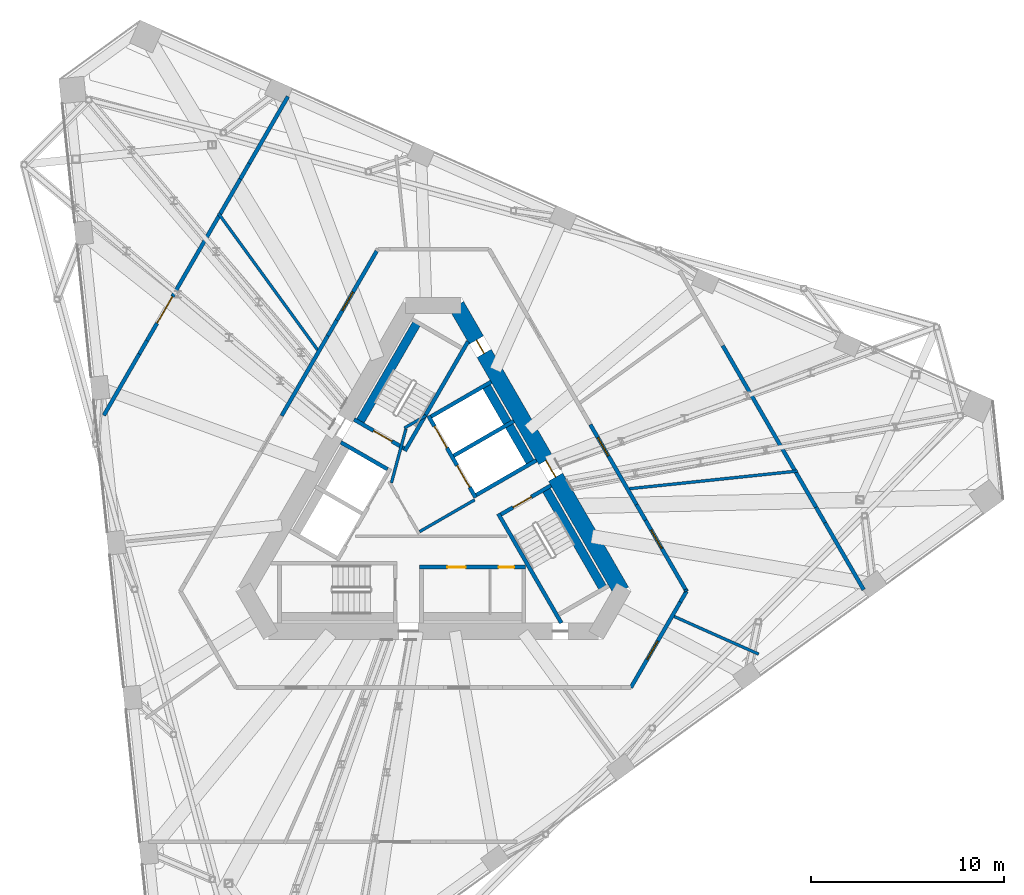
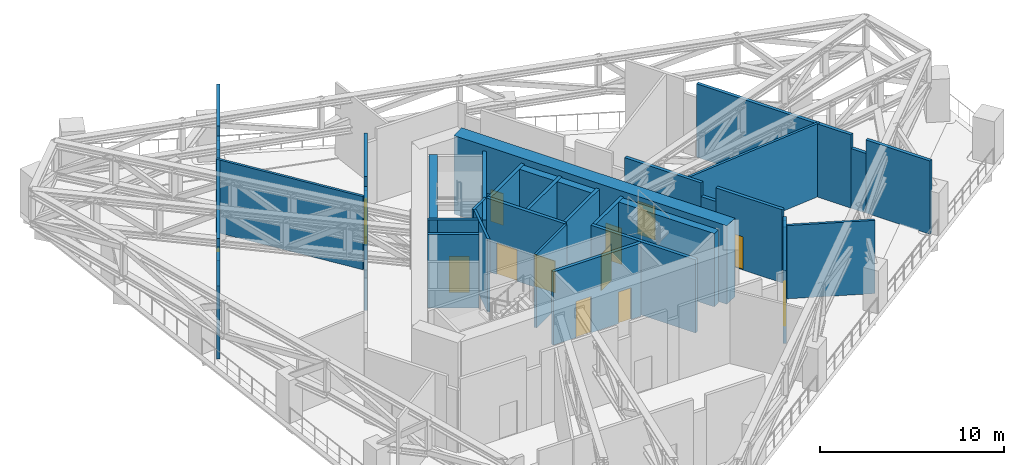
# One storey, part 18 of 26: 37 walls, 13 doors, 13 openings.
"""IFC4 building model written with IfcOpenShell, lengths in metres."""

from ifc_helpers import new_model, si_unit, direction, frame, frame_2d, origin, place, context, subcontext, project, spatial, rectangle, extrude, material, layer, layer_set, type_object, element, fill, save


model = new_model("IFC4")

# Units and contexts
model_context = context("Model", 3, precision=1e-05, world=origin(), true_north=direction((0.0, 1.0)))
body_context = subcontext(model_context, "Body", "Model", "MODEL_VIEW")
ifc_project = project(units=[si_unit("LENGTHUNIT", "METRE"), si_unit("AREAUNIT", "SQUARE_METRE"), si_unit("VOLUMEUNIT", "CUBIC_METRE"), si_unit("PLANEANGLEUNIT", "RADIAN"), si_unit("MASSUNIT", "GRAM", prefix="KILO")], contexts=[model_context])

# Site, building, storey
site_placement = place(None, origin())
site = spatial("IfcSite", under=ifc_project, at=site_placement, CompositionType="ELEMENT")
building_placement = place(site_placement, origin())
building = spatial("IfcBuilding", under=site, at=building_placement, Name="Tramontana Tower", CompositionType="ELEMENT")
storey_placement = place(building_placement, frame((0.0, 0.0, 194.800048828125)))
storey = spatial("IfcBuildingStorey", under=building, at=storey_placement, Name="L45", CompositionType="ELEMENT", Elevation=194.800048828125)

# Wall, openings, doors
ifc_material_1 = material(Name="Concrete 70 MPa", Category="concrete")
ifc_layer_1 = layer(ifc_material_1, 0.85009765625)
ifc_layer_set_1 = layer_set([ifc_layer_1], Name="Core wall 850 70 MPa")
wall_type_1 = type_object("IfcWallType", Name="Core wall 850 70 MPa", PredefinedType="SHEAR", material=ifc_layer_set_1)
wall_1_placement = place(storey_placement, frame((9.757080078125, -4.25, 0.0), z_axis=(0.0, 0.0, 1.0), x_axis=(-0.499995289315, 0.866028123483, 0.0)))
wall_1 = element("IfcWall", 1, at=wall_1_placement, inside=storey, type_object=wall_type_1, Name="Core wall C5 L45", PredefinedType="SHEAR", context=body_context, shape_type="SweptSolid", body=[
    extrude(rectangle(XDim=17.118408203125, YDim=0.85009765625, at=frame_2d((8.55908203125, 0.0))), origin(), (0.0, 0.0, 1.0), 5.199951171875),
])
opening_1_placement = place(wall_1_placement, frame((6.834228515625, 0.0, 0.0)))
opening_1 = element("IfcOpeningElement", 2, at=opening_1_placement, cuts=wall_1, Name="Opening RG3", PredefinedType="OPENING", context=body_context, shape_type="SweptSolid", body=[
    extrude(rectangle(XDim=1.0, YDim=2.39990234375, at=frame_2d((0.5, 1.199951171875))), frame((0.0, 0.43505859375, 0.0), z_axis=(0.0, -1.0, 0.0), x_axis=(1.0, 0.0, 0.0)), (0.0, 0.0, 1.0), 0.8701171875),
])
opening_2_placement = place(wall_1_placement, frame((14.251708984375, 0.0, 0.0)))
opening_2 = element("IfcOpeningElement", 3, at=opening_2_placement, cuts=wall_1, Name="Opening PD3", PredefinedType="OPENING", context=body_context, shape_type="SweptSolid", body=[
    extrude(rectangle(XDim=0.800048828125, YDim=2.10009765625, at=frame_2d((0.39990234375, 1.050048828125))), frame((0.0, 0.43505859375, 0.0), z_axis=(0.0, -1.0, 0.0), x_axis=(1.0, 0.0, 0.0)), (0.0, 0.0, 1.0), 0.8701171875),
])
ifc_material_2 = material(Name="Painted steel", Category="steel")
door_type_1 = type_object("IfcDoorType", Name="CUPBOARD DOOR 800", OperationType="SINGLE_SWING_LEFT", PredefinedType="DOOR", material=ifc_material_2)
door_1_placement = place(opening_2_placement, origin())
door_1 = element("IfcDoor", 4, at=door_1_placement, inside=storey, type_object=door_type_1, Name="Door PD3", OperationType="SINGLE_SWING_RIGHT", OverallHeight=2.10009765625, OverallWidth=0.800048828125, PredefinedType="DOOR", context=body_context, shape_type="SweptSolid", body=[
    extrude(rectangle(XDim=0.800048828125, YDim=2.10009765625, at=frame_2d((0.39990234375, 1.050048828125))), frame((0.0, 0.02490234375, 0.0), z_axis=(0.0, -1.0, 0.0), x_axis=(1.0, 0.0, 0.0)), (0.0, 0.0, 1.0), 0.050048828125),
])
fill(opening_2, door_1)
ifc_material_3 = material(Name="Painted steel", Category="steel")
door_type_2 = type_object("IfcDoorType", Name="RING DOOR 1000", OperationType="SINGLE_SWING_LEFT", PredefinedType="DOOR", material=ifc_material_3)
door_2_placement = place(opening_1_placement, origin())
door_2 = element("IfcDoor", 5, at=door_2_placement, inside=storey, type_object=door_type_2, Name="Door RG3", OperationType="SINGLE_SWING_RIGHT", OverallHeight=2.39990234375, OverallWidth=1.0, PredefinedType="DOOR", context=body_context, shape_type="SweptSolid", body=[
    extrude(rectangle(XDim=1.0, YDim=2.39990234375, at=frame_2d((0.5, 1.199951171875))), frame((0.0, 0.02490234375, 0.0), z_axis=(0.0, -1.0, 0.0), x_axis=(1.0, 0.0, 0.0)), (0.0, 0.0, 1.0), 0.050048828125),
])
fill(opening_1, door_2)

# Walls
ifc_material_4 = material(Name="Blockwork", Category="masonry")
ifc_layer_2 = layer(ifc_material_4, 0.199951171875)
ifc_layer_set_2 = layer_set([ifc_layer_2], Name="ENCLOSURE WALL 200")
wall_type_2 = type_object("IfcWallType", Name="ENCLOSURE WALL 200", PredefinedType="SOLIDWALL", material=ifc_layer_set_2)
wall_2_placement = place(storey_placement, frame((15.01318359375, 8.49658203125, 0.0), z_axis=(0.0, 0.0, 1.0), x_axis=(0.499981435953, -0.866036121476, 0.0)))
element("IfcWall", 6, at=wall_2_placement, inside=storey, type_object=wall_type_2, Name="Wall enc0-2", PredefinedType="SOLIDWALL", context=body_context, shape_type="SweptSolid", body=[
    extrude(rectangle(XDim=9.683349609375, YDim=0.199951171875, at=frame_2d((4.841796875, 0.0))), origin(), (0.0, 0.0, 1.0), 4.849853515625),
])
wall_3_placement = place(storey_placement, frame((19.854736328125, 0.1103515625, 0.0), z_axis=(0.0, 0.0, 1.0), x_axis=(0.500168465368, -0.865928118409, 0.0)))
element("IfcWall", 7, at=wall_3_placement, inside=storey, type_object=wall_type_2, Name="Wall enc0-3", PredefinedType="SOLIDWALL", context=body_context, shape_type="SweptSolid", body=[
    extrude(rectangle(XDim=0.931884765625, YDim=0.199951171875, at=frame_2d((0.4658203125, 0.0))), origin(), (0.0, 0.0, 1.0), 3.949951171875),
])
wall_4_placement = place(storey_placement, frame((20.32080078125, -0.696533203125, 0.0), z_axis=(0.0, 0.0, 1.0), x_axis=(0.499978660597, -0.866037723744, 0.0)))
element("IfcWall", 8, at=wall_4_placement, inside=storey, type_object=wall_type_2, Name="Wall enc0-4", PredefinedType="SOLIDWALL", context=body_context, shape_type="SweptSolid", body=[
    extrude(rectangle(XDim=4.014404296875, YDim=0.199951171875, at=frame_2d((2.00732421875, 0.0))), origin(), (0.0, 0.0, 1.0), 4.849853515625),
])
wall_5_placement = place(storey_placement, frame((-17.103271484375, 4.8759765625, 0.0), z_axis=(0.0, 0.0, 1.0), x_axis=(0.499952348839, 0.866052913447, 0.0)))
element("IfcWall", 9, at=wall_5_placement, inside=storey, type_object=wall_type_2, Name="Wall enc2-0", PredefinedType="SOLIDWALL", context=body_context, shape_type="SweptSolid", body=[
    extrude(rectangle(XDim=3.677001953125, YDim=0.199951171875, at=frame_2d((1.83837890625, 0.0))), origin(), (0.0, 0.0, 1.0), 4.849853515625),
])
wall_6_placement = place(storey_placement, frame((-15.264892578125, 8.060546875, 0.0), z_axis=(0.0, 0.0, 1.0), x_axis=(0.500109828528, 0.865961984968, 0.0)))
element("IfcWall", 10, at=wall_6_placement, inside=storey, type_object=wall_type_2, Name="Wall enc2-1", PredefinedType="SOLIDWALL", context=body_context, shape_type="SweptSolid", body=[
    extrude(rectangle(XDim=0.800048828125, YDim=0.199951171875, at=frame_2d((0.39990234375, 0.0))), origin(), (0.0, 0.0, 1.0), 3.949951171875),
])

# Wall, opening, door
wall_7_placement = place(storey_placement, frame((-14.86474609375, 8.75341796875, 0.0), z_axis=(0.0, 0.0, 1.0), x_axis=(0.50000034515, 0.866025204512, 0.0)))
wall_7 = element("IfcWall", 11, at=wall_7_placement, inside=storey, type_object=wall_type_2, Name="Wall enc2-2", PredefinedType="SOLIDWALL", context=body_context, shape_type="SweptSolid", body=[
    extrude(rectangle(XDim=9.68359375, YDim=0.199951171875, at=frame_2d((4.841796875, 0.0))), origin(), (0.0, 0.0, 1.0), 4.849853515625),
])
opening_3_placement = place(wall_7_placement, frame((1.044677734375, 0.0, 0.0)))
opening_3 = element("IfcOpeningElement", 12, at=opening_3_placement, cuts=wall_7, Name="Opening L45-10", PredefinedType="OPENING", context=body_context, shape_type="SweptSolid", body=[
    extrude(rectangle(XDim=1.60009765625, YDim=2.300048828125, at=frame_2d((0.800048828125, 1.14990234375))), frame((0.0, 0.10986328125, 0.0), z_axis=(0.0, -1.0, 0.0), x_axis=(1.0, 0.0, 0.0)), (0.0, 0.0, 1.0), 0.219970703125),
])
ifc_material_5 = material(Name="Painted timber", Category="wood")
door_type_3 = type_object("IfcDoorType", Name="DOOR WIDE 1600", OperationType="SINGLE_SWING_LEFT", PredefinedType="DOOR", material=ifc_material_5)
door_3_placement = place(opening_3_placement, origin())
door_3 = element("IfcDoor", 13, at=door_3_placement, inside=storey, type_object=door_type_3, Name="Door L45-10", OperationType="DOUBLE_DOOR_SINGLE_SWING", OverallHeight=2.300048828125, OverallWidth=1.60009765625, PredefinedType="DOOR", context=body_context, shape_type="SweptSolid", body=[
    extrude(rectangle(XDim=1.60009765625, YDim=2.300048828125, at=frame_2d((0.800048828125, 1.14990234375))), frame((0.0, 0.02490234375, 0.0), z_axis=(0.0, -1.0, 0.0), x_axis=(1.0, 0.0, 0.0)), (0.0, 0.0, 1.0), 0.050048828125),
])
fill(opening_3, door_3)

# Walls
wall_8_placement = place(storey_placement, frame((-10.02294921875, 17.1396484375, 0.0), z_axis=(0.0, 0.0, 1.0), x_axis=(0.499971966783, 0.866041588165, 0.0)))
element("IfcWall", 14, at=wall_8_placement, inside=storey, type_object=wall_type_2, Name="Wall enc2-3", PredefinedType="SOLIDWALL", context=body_context, shape_type="SweptSolid", body=[
    extrude(rectangle(XDim=0.931640625, YDim=0.199951171875, at=frame_2d((0.4658203125, 0.0))), origin(), (0.0, 0.0, 1.0), 3.949951171875),
])
wall_9_placement = place(storey_placement, frame((-9.55712890625, 17.946533203125, 0.0), z_axis=(0.0, 0.0, 1.0), x_axis=(0.499978660597, 0.866037723744, 0.0)))
element("IfcWall", 15, at=wall_9_placement, inside=storey, type_object=wall_type_2, Name="Wall enc2-4", PredefinedType="SOLIDWALL", context=body_context, shape_type="SweptSolid", body=[
    extrude(rectangle(XDim=4.014404296875, YDim=0.199951171875, at=frame_2d((2.00732421875, 0.0))), origin(), (0.0, 0.0, 1.0), 4.849853515625),
])

# Wall, opening, door
ifc_material_6 = material(Name="Blockwork", Category="masonry")
ifc_layer_3 = layer(ifc_material_6, 0.199951171875)
ifc_layer_set_3 = layer_set([ifc_layer_3], Name="ENTRY WALL 200")
wall_type_3 = type_object("IfcWallType", Name="ENTRY WALL 200", PredefinedType="SOLIDWALL", material=ifc_layer_set_3)
wall_10_placement = place(storey_placement, frame((8.143310546875, 4.3955078125, 0.0), z_axis=(0.0, 0.0, 1.0), x_axis=(0.499997407846, -0.86602690036, 0.0)))
wall_10 = element("IfcWall", 16, at=wall_10_placement, inside=storey, type_object=wall_type_3, Name="Wall ew0-6", PredefinedType="SOLIDWALL", context=body_context, shape_type="SweptSolid", body=[
    extrude(rectangle(XDim=4.791015625, YDim=0.199951171875, at=frame_2d((2.3955078125, 0.0))), origin(), (0.0, 0.0, 1.0), 4.849853515625),
])
opening_4_placement = place(wall_10_placement, frame((0.77490234375, 0.0, 0.0)))
opening_4 = element("IfcOpeningElement", 17, at=opening_4_placement, cuts=wall_10, Name="Opening L45-08", PredefinedType="OPENING", context=body_context, shape_type="SweptSolid", body=[
    extrude(rectangle(XDim=1.10009765625, YDim=2.199951171875, at=frame_2d((0.550048828125, 1.10009765625))), frame((0.0, 0.10986328125, 0.0), z_axis=(0.0, -1.0, 0.0), x_axis=(1.0, 0.0, 0.0)), (0.0, 0.0, 1.0), 0.219970703125),
])
ifc_material_7 = material(Name="Painted steel", Category="steel")
door_type_4 = type_object("IfcDoorType", Name="PLANT DOOR 1100", OperationType="SINGLE_SWING_LEFT", PredefinedType="DOOR", material=ifc_material_7)
door_4_placement = place(opening_4_placement, origin())
door_4 = element("IfcDoor", 18, at=door_4_placement, inside=storey, type_object=door_type_4, Name="Door L45-08", OperationType="SINGLE_SWING_RIGHT", OverallHeight=2.199951171875, OverallWidth=1.10009765625, PredefinedType="DOOR", context=body_context, shape_type="SweptSolid", body=[
    extrude(rectangle(XDim=1.10009765625, YDim=2.199951171875, at=frame_2d((0.550048828125, 1.10009765625))), frame((0.0, 0.02490234375, 0.0), z_axis=(0.0, -1.0, 0.0), x_axis=(1.0, 0.0, 0.0)), (0.0, 0.0, 1.0), 0.050048828125),
])
fill(opening_4, door_4)

# Wall
wall_11_placement = place(storey_placement, frame((10.538818359375, 0.246337890625, 0.0), z_axis=(0.0, 0.0, 1.0), x_axis=(0.499971966783, -0.866041588165, 0.0)))
element("IfcWall", 19, at=wall_11_placement, inside=storey, type_object=wall_type_3, Name="Wall ew0-7", PredefinedType="SOLIDWALL", context=body_context, shape_type="SweptSolid", body=[
    extrude(rectangle(XDim=0.931640625, YDim=0.199951171875, at=frame_2d((0.4658203125, 0.0))), origin(), (0.0, 0.0, 1.0), 3.949951171875),
])

# Wall, opening, door
wall_12_placement = place(storey_placement, frame((11.004638671875, -0.560546875, 0.0), z_axis=(0.0, 0.0, 1.0), x_axis=(0.499993700073, -0.866029041019, 0.0)))
wall_12 = element("IfcWall", 20, at=wall_12_placement, inside=storey, type_object=wall_type_3, Name="Wall ew0-8", PredefinedType="SOLIDWALL", context=body_context, shape_type="SweptSolid", body=[
    extrude(rectangle(XDim=4.1552734375, YDim=0.199951171875, at=frame_2d((2.07763671875, 0.0))), origin(), (0.0, 0.0, 1.0), 4.849853515625),
])
opening_5_placement = place(wall_12_placement, frame((0.5869140625, 0.0, 0.0)))
opening_5 = element("IfcOpeningElement", 21, at=opening_5_placement, cuts=wall_12, Name="Opening L45-07", PredefinedType="OPENING", context=body_context, shape_type="SweptSolid", body=[
    extrude(rectangle(XDim=1.10009765625, YDim=2.199951171875, at=frame_2d((0.550048828125, 1.10009765625))), frame((0.0, 0.10986328125, 0.0), z_axis=(0.0, -1.0, 0.0), x_axis=(1.0, 0.0, 0.0)), (0.0, 0.0, 1.0), 0.219970703125),
])
door_5_placement = place(opening_5_placement, origin())
door_5 = element("IfcDoor", 22, at=door_5_placement, inside=storey, type_object=door_type_4, Name="Door L45-07", OperationType="SINGLE_SWING_LEFT", OverallHeight=2.199951171875, OverallWidth=1.10009765625, PredefinedType="DOOR", context=body_context, shape_type="SweptSolid", body=[
    extrude(rectangle(XDim=1.10009765625, YDim=2.199951171875, at=frame_2d((0.550048828125, 1.10009765625))), frame((0.0, 0.02490234375, 0.0), z_axis=(0.0, -1.0, 0.0), x_axis=(1.0, 0.0, 0.0)), (0.0, 0.0, 1.0), 0.050048828125),
])
fill(opening_5, door_5)

# Walls
wall_13_placement = place(storey_placement, frame((13.082275390625, -4.1591796875, 0.0), z_axis=(0.0, 0.0, 1.0), x_axis=(0.500393920955, -0.865797853931, 0.0)))
element("IfcWall", 23, at=wall_13_placement, inside=storey, type_object=wall_type_3, Name="Wall ew0-9", PredefinedType="SOLIDWALL", context=body_context, shape_type="SweptSolid", body=[
    extrude(rectangle(XDim=0.10498046875, YDim=0.199951171875, at=frame_2d((0.052490234375, 0.0))), origin(), (0.0, 0.0, 1.0), 4.14990234375),
])
wall_14_placement = place(storey_placement, frame((13.134765625, -4.25, 0.0), z_axis=(0.0, 0.0, 1.0), x_axis=(-0.500018234033, -0.866014876105, 0.0)))
element("IfcWall", 24, at=wall_14_placement, inside=storey, type_object=wall_type_3, Name="Wall ew1-0", PredefinedType="SOLIDWALL", context=body_context, shape_type="SweptSolid", body=[
    extrude(rectangle(XDim=0.64306640625, YDim=0.199951171875, at=frame_2d((0.321533203125, 0.0))), origin(), (0.0, 0.0, 1.0), 4.14990234375),
])

# Wall, opening, door
wall_15_placement = place(storey_placement, frame((12.813232421875, -4.806884765625, 0.0), z_axis=(0.0, 0.0, 1.0), x_axis=(-0.499992949462, -0.866029474376, 0.0)))
wall_15 = element("IfcWall", 25, at=wall_15_placement, inside=storey, type_object=wall_type_3, Name="Wall ew1-1", PredefinedType="SOLIDWALL", context=body_context, shape_type="SweptSolid", body=[
    extrude(rectangle(XDim=5.13037109375, YDim=0.199951171875, at=frame_2d((2.565185546875, 0.0))), origin(), (0.0, 0.0, 1.0), 4.849853515625),
])
opening_6_placement = place(wall_15_placement, frame((2.341796875, 0.0, 0.0)))
opening_6 = element("IfcOpeningElement", 26, at=opening_6_placement, cuts=wall_15, Name="Opening L45-06", PredefinedType="OPENING", context=body_context, shape_type="SweptSolid", body=[
    extrude(rectangle(XDim=1.10009765625, YDim=2.199951171875, at=frame_2d((0.550048828125, 1.10009765625))), frame((0.0, 0.10986328125, 0.0), z_axis=(0.0, -1.0, 0.0), x_axis=(1.0, 0.0, 0.0)), (0.0, 0.0, 1.0), 0.219970703125),
])
door_6_placement = place(opening_6_placement, origin())
door_6 = element("IfcDoor", 27, at=door_6_placement, inside=storey, type_object=door_type_4, Name="Door L45-06", OperationType="SINGLE_SWING_RIGHT", OverallHeight=2.199951171875, OverallWidth=1.10009765625, PredefinedType="DOOR", context=body_context, shape_type="SweptSolid", body=[
    extrude(rectangle(XDim=1.10009765625, YDim=2.199951171875, at=frame_2d((0.550048828125, 1.10009765625))), frame((0.0, 0.02490234375, 0.0), z_axis=(0.0, -1.0, 0.0), x_axis=(1.0, 0.0, 0.0)), (0.0, 0.0, 1.0), 0.050048828125),
])
fill(opening_6, door_6)

# Walls
wall_16_placement = place(storey_placement, frame((-7.878173828125, 4.8544921875, 0.0), z_axis=(0.0, 0.0, 1.0), x_axis=(0.499997407846, 0.86602690036, 0.0)))
element("IfcWall", 28, at=wall_16_placement, inside=storey, type_object=wall_type_3, Name="Wall ew4-6", PredefinedType="SOLIDWALL", context=body_context, shape_type="SweptSolid", body=[
    extrude(rectangle(XDim=4.791015625, YDim=0.199951171875, at=frame_2d((2.3955078125, 0.0))), origin(), (0.0, 0.0, 1.0), 4.849853515625),
])
wall_17_placement = place(storey_placement, frame((-5.482666015625, 9.003662109375, 0.0), z_axis=(0.0, 0.0, 1.0), x_axis=(0.499971966783, 0.866041588165, 0.0)))
element("IfcWall", 29, at=wall_17_placement, inside=storey, type_object=wall_type_3, Name="Wall ew4-7", PredefinedType="SOLIDWALL", context=body_context, shape_type="SweptSolid", body=[
    extrude(rectangle(XDim=0.931640625, YDim=0.199951171875, at=frame_2d((0.4658203125, 0.0))), origin(), (0.0, 0.0, 1.0), 3.949951171875),
])

# Wall, opening, door
wall_18_placement = place(storey_placement, frame((-5.016845703125, 9.810546875, 0.0), z_axis=(0.0, 0.0, 1.0), x_axis=(0.499993700073, 0.866029041019, 0.0)))
wall_18 = element("IfcWall", 30, at=wall_18_placement, inside=storey, type_object=wall_type_3, Name="Wall ew4-8", PredefinedType="SOLIDWALL", context=body_context, shape_type="SweptSolid", body=[
    extrude(rectangle(XDim=4.1552734375, YDim=0.199951171875, at=frame_2d((2.07763671875, 0.0))), origin(), (0.0, 0.0, 1.0), 4.849853515625),
])
opening_7_placement = place(wall_18_placement, frame((0.5869140625, 0.0, 0.0)))
opening_7 = element("IfcOpeningElement", 31, at=opening_7_placement, cuts=wall_18, Name="Opening L45-01", PredefinedType="OPENING", context=body_context, shape_type="SweptSolid", body=[
    extrude(rectangle(XDim=1.10009765625, YDim=2.199951171875, at=frame_2d((0.550048828125, 1.10009765625))), frame((0.0, 0.10986328125, 0.0), z_axis=(0.0, -1.0, 0.0), x_axis=(1.0, 0.0, 0.0)), (0.0, 0.0, 1.0), 0.219970703125),
])
door_7_placement = place(opening_7_placement, origin())
door_7 = element("IfcDoor", 32, at=door_7_placement, inside=storey, type_object=door_type_4, Name="Door L45-01", OperationType="SINGLE_SWING_LEFT", OverallHeight=2.199951171875, OverallWidth=1.10009765625, PredefinedType="DOOR", context=body_context, shape_type="SweptSolid", body=[
    extrude(rectangle(XDim=1.10009765625, YDim=2.199951171875, at=frame_2d((0.550048828125, 1.10009765625))), frame((0.0, 0.02490234375, 0.0), z_axis=(0.0, -1.0, 0.0), x_axis=(1.0, 0.0, 0.0)), (0.0, 0.0, 1.0), 0.050048828125),
])
fill(opening_7, door_7)

# Walls
ifc_material_8 = material(Name="Gypsum board partition")
ifc_layer_4 = layer(ifc_material_8, 0.14990234375)
ifc_layer_set_4 = layer_set([ifc_layer_4], Name="PARTITION 150")
wall_type_4 = type_object("IfcWallType", Name="PARTITION 150", PredefinedType="PARTITIONING", material=ifc_layer_set_4)
wall_19_placement = place(storey_placement, frame((-0.716796875, -1.15869140625, 0.0), z_axis=(0.0, 0.0, 1.0), x_axis=(0.866008176907, 0.50002983664, 0.0)))
element("IfcWall", 33, at=wall_19_placement, inside=storey, type_object=wall_type_4, Name="Wall ff-end0", PredefinedType="PARTITIONING", context=body_context, shape_type="SweptSolid", body=[
    extrude(rectangle(XDim=3.300048828125, YDim=0.14990234375, at=frame_2d((1.64990234375, 0.0))), origin(), (0.0, 0.0, 1.0), 4.849853515625),
])
wall_20_placement = place(storey_placement, frame((-2.177978515625, 1.372314453125, 0.0), z_axis=(0.0, 0.0, 1.0), x_axis=(0.258808958833, 0.96592852884, 0.0)))
element("IfcWall", 34, at=wall_20_placement, inside=storey, type_object=wall_type_4, Name="Wall ff-diag", PredefinedType="PARTITIONING", context=body_context, shape_type="SweptSolid", body=[
    extrude(rectangle(XDim=2.902587890625, YDim=0.14990234375, at=frame_2d((1.451171875, 0.0))), origin(), (0.0, 0.0, 1.0), 4.849853515625),
])
wall_21_placement = place(storey_placement, frame((-1.509765625, 4.21484375, 0.0), z_axis=(0.0, 0.0, 1.0), x_axis=(0.866085525409, 0.49989585183, 0.0)))
element("IfcWall", 35, at=wall_21_placement, inside=storey, type_object=wall_type_4, Name="Wall ff-end1", PredefinedType="PARTITIONING", context=body_context, shape_type="SweptSolid", body=[
    extrude(rectangle(XDim=1.300048828125, YDim=0.14990234375, at=frame_2d((0.64990234375, 0.0))), origin(), (0.0, 0.0, 1.0), 4.849853515625),
])
wall_22_placement = place(storey_placement, frame((-6.015869140625, 8.2802734375, 0.0), z_axis=(0.0, 0.0, 1.0), x_axis=(-0.587788699653, 0.809014489709, 0.0)))
element("IfcWall", 36, at=wall_22_placement, inside=storey, type_object=wall_type_4, Name="Wall fw-pw02", PredefinedType="PARTITIONING", context=body_context, shape_type="SweptSolid", body=[
    extrude(rectangle(XDim=8.7568359375, YDim=0.14990234375, at=frame_2d((4.37841796875, 0.0))), origin(), (0.0, 0.0, 1.0), 4.849853515625),
])
wall_23_placement = place(storey_placement, frame((10.1787109375, 1.06982421875, 0.0), z_axis=(0.0, 0.0, 1.0), x_axis=(0.994523006427, 0.104517891713, 0.0)))
element("IfcWall", 37, at=wall_23_placement, inside=storey, type_object=wall_type_4, Name="Wall fw-pw07", PredefinedType="PARTITIONING", context=body_context, shape_type="SweptSolid", body=[
    extrude(rectangle(XDim=8.757080078125, YDim=0.14990234375, at=frame_2d((4.37841796875, 0.0))), origin(), (0.0, 0.0, 1.0), 4.849853515625),
])
wall_24_placement = place(storey_placement, frame((12.49267578125, -5.56201171875, 0.0), z_axis=(0.0, 0.0, 1.0), x_axis=(0.913530294257, -0.40677069889, 0.0)))
element("IfcWall", 38, at=wall_24_placement, inside=storey, type_object=wall_type_4, Name="Wall fw-pw08", PredefinedType="PARTITIONING", context=body_context, shape_type="SweptSolid", body=[
    extrude(rectangle(XDim=4.80029296875, YDim=0.14990234375, at=frame_2d((2.400146484375, 0.0))), origin(), (0.0, 0.0, 1.0), 4.849853515625),
])
ifc_material_9 = material(Name="Concrete 70 MPa", Category="concrete")
ifc_layer_5 = layer(ifc_material_9, 0.449951171875)
ifc_layer_set_5 = layer_set([ifc_layer_5], Name="Concrete 70 MPa, 450 mm")
wall_type_5 = type_object("IfcWallType", Name="RC SHAFT BACK WALL 450", PredefinedType="SOLIDWALL", material=ifc_layer_set_5)
for number, where, z_axis, x_axis, name in (
    (39, (-0.7880859375, 9.784912109375, 0.0), (0.0, 0.0, 1.0), (-0.500009909098, -0.866019682689, 0.0), "Wall st1-back"),
    (40, (8.8681640625, -4.2099609375, 0.0), (0.0, 0.0, 1.0), (-0.500009909098, 0.866019682689, 0.0), "Wall st3-back"),
):
    element("IfcWall", number, at=place(storey_placement, frame(where, z_axis=z_axis, x_axis=x_axis)), inside=storey, type_object=wall_type_5, Name=name, PredefinedType="SOLIDWALL", context=body_context, shape_type="SweptSolid", body=[
        extrude(rectangle(XDim=6.199951171875, YDim=0.449951171875, at=frame_2d((3.10009765625, 0.0))), origin(), (0.0, 0.0, 1.0), 4.849853515625),
    ])
wall_25_placement = place(storey_placement, frame((5.113037109375, 2.2939453125, 0.0), z_axis=(0.0, 0.0, 1.0), x_axis=(-0.500002801628, 0.866023786258, 0.0)))
element("IfcWall", 41, at=wall_25_placement, inside=storey, type_object=wall_type_5, Name="Wall row2-back", PredefinedType="SOLIDWALL", context=body_context, shape_type="SweptSolid", body=[
    extrude(rectangle(XDim=4.89990234375, YDim=0.449951171875, at=frame_2d((2.449951171875, 0.0))), origin(), (0.0, 0.0, 1.0), 4.849853515625),
])
ifc_material_10 = material(Name="Concrete 70 MPa", Category="concrete")
ifc_layer_6 = layer(ifc_material_10, 0.199951171875)
ifc_layer_set_6 = layer_set([ifc_layer_6], Name="Concrete 70 MPa, 200 mm")
wall_type_6 = type_object("IfcWallType", Name="RC STAIR AND SHAFT WALL 200", PredefinedType="SOLIDWALL", material=ifc_layer_set_6)
wall_26_placement = place(storey_placement, frame((1.789794921875, 8.699951171875, 0.0), z_axis=(0.0, 0.0, 1.0), x_axis=(-0.499999959354, -0.866025427251, 0.0)))
element("IfcWall", 42, at=wall_26_placement, inside=storey, type_object=wall_type_6, Name="Wall st1-front", PredefinedType="SOLIDWALL", context=body_context, shape_type="SweptSolid", body=[
    extrude(rectangle(XDim=6.54931640625, YDim=0.199951171875, at=frame_2d((3.274658203125, 0.0))), origin(), (0.0, 0.0, 1.0), 4.849853515625),
])

# Wall, opening, door
wall_27_placement = place(storey_placement, frame((-1.521484375, 3.164794921875, 0.0), z_axis=(0.0, 0.0, 1.0), x_axis=(-0.866031096941, 0.499990139034, 0.0)))
wall_27 = element("IfcWall", 43, at=wall_27_placement, inside=storey, type_object=wall_type_6, Name="Wall st1-near", PredefinedType="SOLIDWALL", context=body_context, shape_type="SweptSolid", body=[
    extrude(rectangle(XDim=3.0, YDim=0.199951171875, at=frame_2d((1.5, 0.0))), origin(), (0.0, 0.0, 1.0), 4.849853515625),
])
opening_8_placement = place(wall_27_placement, frame((0.72509765625, 0.0, 0.0)))
opening_8 = element("IfcOpeningElement", 44, at=opening_8_placement, cuts=wall_27, Name="Opening SD1", PredefinedType="OPENING", context=body_context, shape_type="SweptSolid", body=[
    extrude(rectangle(XDim=1.10009765625, YDim=2.39990234375, at=frame_2d((0.550048828125, 1.199951171875))), frame((0.0, 0.10986328125, 0.0), z_axis=(0.0, -1.0, 0.0), x_axis=(1.0, 0.0, 0.0)), (0.0, 0.0, 1.0), 0.219970703125),
])
ifc_material_11 = material(Name="Painted steel", Category="steel")
door_type_5 = type_object("IfcDoorType", Name="STAIR DOOR 1100", OperationType="SINGLE_SWING_LEFT", PredefinedType="DOOR", material=ifc_material_11)
door_8_placement = place(opening_8_placement, origin())
door_8 = element("IfcDoor", 45, at=door_8_placement, inside=storey, type_object=door_type_5, Name="Door SD1", OperationType="SINGLE_SWING_RIGHT", OverallHeight=2.39990234375, OverallWidth=1.10009765625, PredefinedType="DOOR", context=body_context, shape_type="SweptSolid", body=[
    extrude(rectangle(XDim=1.10009765625, YDim=2.39990234375, at=frame_2d((0.550048828125, 1.199951171875))), frame((0.0, 0.02490234375, 0.0), z_axis=(0.0, -1.0, 0.0), x_axis=(1.0, 0.0, 0.0)), (0.0, 0.0, 1.0), 0.050048828125),
])
fill(opening_8, door_8)

# Wall
wall_28_placement = place(storey_placement, frame((6.6396484375, -5.89990234375, 0.0), z_axis=(0.0, 0.0, 1.0), x_axis=(-0.499999959354, 0.866025427251, 0.0)))
element("IfcWall", 46, at=wall_28_placement, inside=storey, type_object=wall_type_6, Name="Wall st3-front", PredefinedType="SOLIDWALL", context=body_context, shape_type="SweptSolid", body=[
    extrude(rectangle(XDim=6.54931640625, YDim=0.199951171875, at=frame_2d((3.274658203125, 0.0))), origin(), (0.0, 0.0, 1.0), 4.849853515625),
])

# Wall, opening, door
wall_29_placement = place(storey_placement, frame((3.50146484375, -0.2646484375, 0.0), z_axis=(0.0, 0.0, 1.0), x_axis=(0.866031096941, 0.499990139034, 0.0)))
wall_29 = element("IfcWall", 47, at=wall_29_placement, inside=storey, type_object=wall_type_6, Name="Wall st3-near", PredefinedType="SOLIDWALL", context=body_context, shape_type="SweptSolid", body=[
    extrude(rectangle(XDim=3.0, YDim=0.199951171875, at=frame_2d((1.5, 0.0))), origin(), (0.0, 0.0, 1.0), 4.849853515625),
])
opening_9_placement = place(wall_29_placement, frame((0.72509765625, 0.0, 0.0)))
opening_9 = element("IfcOpeningElement", 48, at=opening_9_placement, cuts=wall_29, Name="Opening SD3", PredefinedType="OPENING", context=body_context, shape_type="SweptSolid", body=[
    extrude(rectangle(XDim=1.10009765625, YDim=2.39990234375, at=frame_2d((0.550048828125, 1.199951171875))), frame((0.0, 0.10986328125, 0.0), z_axis=(0.0, -1.0, 0.0), x_axis=(1.0, 0.0, 0.0)), (0.0, 0.0, 1.0), 0.219970703125),
])
door_9_placement = place(opening_9_placement, origin())
door_9 = element("IfcDoor", 49, at=door_9_placement, inside=storey, type_object=door_type_5, Name="Door SD3", OperationType="SINGLE_SWING_RIGHT", OverallHeight=2.39990234375, OverallWidth=1.10009765625, PredefinedType="DOOR", context=body_context, shape_type="SweptSolid", body=[
    extrude(rectangle(XDim=1.10009765625, YDim=2.39990234375, at=frame_2d((0.550048828125, 1.199951171875))), frame((0.0, 0.02490234375, 0.0), z_axis=(0.0, -1.0, 0.0), x_axis=(1.0, 0.0, 0.0)), (0.0, 0.0, 1.0), 0.050048828125),
])
fill(opening_9, door_9)

# Wall
wall_30_placement = place(storey_placement, frame((-2.379638671875, 2.078369140625, 0.0), z_axis=(0.0, 0.0, 1.0), x_axis=(-0.866034573852, 0.49998411664, 0.0)))
element("IfcWall", 50, at=wall_30_placement, inside=storey, type_object=wall_type_6, Name="Wall row0-side0", PredefinedType="SOLIDWALL", context=body_context, shape_type="SweptSolid", body=[
    extrude(rectangle(XDim=2.7998046875, YDim=0.199951171875, at=frame_2d((1.39990234375, 0.0))), origin(), (0.0, 0.0, 1.0), 4.849853515625),
])

# Wall, openings, doors
wall_31_placement = place(storey_placement, frame((4.7900390625, -3.0, 0.0), z_axis=(0.0, 0.0, 1.0), x_axis=(-1.0, 0.0, 0.0)))
wall_31 = element("IfcWall", 51, at=wall_31_placement, inside=storey, type_object=wall_type_6, Name="Wall row1-front", PredefinedType="SOLIDWALL", context=body_context, shape_type="SweptSolid", body=[
    extrude(rectangle(XDim=5.5, YDim=0.199951171875, at=frame_2d((2.75, 0.0))), origin(), (0.0, 0.0, 1.0), 4.849853515625),
])
opening_10_placement = place(wall_31_placement, frame((3.1201171875, 0.0, 0.0)))
opening_10 = element("IfcOpeningElement", 52, at=opening_10_placement, cuts=wall_31, Name="Opening RD-1A", PredefinedType="OPENING", context=body_context, shape_type="SweptSolid", body=[
    extrude(rectangle(XDim=0.949951171875, YDim=2.39990234375, at=frame_2d((0.47509765625, 1.199951171875))), frame((0.0, 0.10986328125, 0.0), z_axis=(0.0, -1.0, 0.0), x_axis=(1.0, 0.0, 0.0)), (0.0, 0.0, 1.0), 0.219970703125),
])
opening_11_placement = place(wall_31_placement, frame((0.60498046875, 0.0, 0.0)))
opening_11 = element("IfcOpeningElement", 53, at=opening_11_placement, cuts=wall_31, Name="Opening RD-1B", PredefinedType="OPENING", context=body_context, shape_type="SweptSolid", body=[
    extrude(rectangle(XDim=0.800048828125, YDim=2.10009765625, at=frame_2d((0.39990234375, 1.050048828125))), frame((0.0, 0.10986328125, 0.0), z_axis=(0.0, -1.0, 0.0), x_axis=(1.0, 0.0, 0.0)), (0.0, 0.0, 1.0), 0.219970703125),
])
door_10_placement = place(opening_11_placement, origin())
door_10 = element("IfcDoor", 54, at=door_10_placement, inside=storey, type_object=door_type_1, Name="Door RD-1B", OperationType="SINGLE_SWING_RIGHT", OverallHeight=2.10009765625, OverallWidth=0.800048828125, PredefinedType="DOOR", context=body_context, shape_type="SweptSolid", body=[
    extrude(rectangle(XDim=0.800048828125, YDim=2.10009765625, at=frame_2d((0.39990234375, 1.050048828125))), frame((0.0, 0.02490234375, 0.0), z_axis=(0.0, -1.0, 0.0), x_axis=(1.0, 0.0, 0.0)), (0.0, 0.0, 1.0), 0.050048828125),
])
fill(opening_11, door_10)
ifc_material_12 = material(Name="Painted timber", Category="wood")
door_type_6 = type_object("IfcDoorType", Name="DOOR ROOM 950", OperationType="SINGLE_SWING_LEFT", PredefinedType="DOOR", material=ifc_material_12)
door_11_placement = place(opening_10_placement, origin())
door_11 = element("IfcDoor", 55, at=door_11_placement, inside=storey, type_object=door_type_6, Name="Door RD-1A", OperationType="SINGLE_SWING_LEFT", OverallHeight=2.39990234375, OverallWidth=0.949951171875, PredefinedType="DOOR", context=body_context, shape_type="SweptSolid", body=[
    extrude(rectangle(XDim=0.949951171875, YDim=2.39990234375, at=frame_2d((0.47509765625, 1.199951171875))), frame((0.0, 0.02490234375, 0.0), z_axis=(0.0, -1.0, 0.0), x_axis=(1.0, 0.0, 0.0)), (0.0, 0.0, 1.0), 0.050048828125),
])
fill(opening_10, door_11)

wall_32_placement = place(storey_placement, frame((2.190185546875, 0.6064453125, 0.0), z_axis=(0.0, 0.0, 1.0), x_axis=(-0.500002801628, 0.866023786258, 0.0)))
wall_32 = element("IfcWall", 56, at=wall_32_placement, inside=storey, type_object=wall_type_6, Name="Wall row2-front", PredefinedType="SOLIDWALL", context=body_context, shape_type="SweptSolid", body=[
    extrude(rectangle(XDim=4.89990234375, YDim=0.199951171875, at=frame_2d((2.449951171875, 0.0))), origin(), (0.0, 0.0, 1.0), 4.849853515625),
])
opening_12_placement = place(wall_32_placement, frame((0.625, 0.0, 0.0)))
opening_12 = element("IfcOpeningElement", 57, at=opening_12_placement, cuts=wall_32, Name="Opening LD-F1", PredefinedType="OPENING", context=body_context, shape_type="SweptSolid", body=[
    extrude(rectangle(XDim=1.300048828125, YDim=2.10009765625, at=frame_2d((0.64990234375, 1.050048828125))), frame((0.0, 0.10986328125, 0.0), z_axis=(0.0, -1.0, 0.0), x_axis=(1.0, 0.0, 0.0)), (0.0, 0.0, 1.0), 0.219970703125),
])
opening_13_placement = place(wall_32_placement, frame((2.97509765625, 0.0, 0.0)))
opening_13 = element("IfcOpeningElement", 58, at=opening_13_placement, cuts=wall_32, Name="Opening LD-F2", PredefinedType="OPENING", context=body_context, shape_type="SweptSolid", body=[
    extrude(rectangle(XDim=1.300048828125, YDim=2.10009765625, at=frame_2d((0.64990234375, 1.050048828125))), frame((0.0, 0.10986328125, 0.0), z_axis=(0.0, -1.0, 0.0), x_axis=(1.0, 0.0, 0.0)), (0.0, 0.0, 1.0), 0.219970703125),
])
ifc_material_13 = material(Name="Brushed steel", Category="steel")
door_type_7 = type_object("IfcDoorType", Name="LANDING DOOR 1300", OperationType="SINGLE_SWING_LEFT", PredefinedType="DOOR", material=ifc_material_13)
door_12_placement = place(opening_12_placement, origin())
door_12 = element("IfcDoor", 59, at=door_12_placement, inside=storey, type_object=door_type_7, Name="Door LD-F1", OperationType="SLIDING_TO_LEFT", OverallHeight=2.10009765625, OverallWidth=1.300048828125, PredefinedType="DOOR", context=body_context, shape_type="SweptSolid", body=[
    extrude(rectangle(XDim=1.300048828125, YDim=2.10009765625, at=frame_2d((0.64990234375, 1.050048828125))), frame((0.0, 0.02490234375, 0.0), z_axis=(0.0, -1.0, 0.0), x_axis=(1.0, 0.0, 0.0)), (0.0, 0.0, 1.0), 0.050048828125),
])
fill(opening_12, door_12)
door_13_placement = place(opening_13_placement, origin())
door_13 = element("IfcDoor", 60, at=door_13_placement, inside=storey, type_object=door_type_7, Name="Door LD-F2", OperationType="SLIDING_TO_RIGHT", OverallHeight=2.10009765625, OverallWidth=1.300048828125, PredefinedType="DOOR", context=body_context, shape_type="SweptSolid", body=[
    extrude(rectangle(XDim=1.300048828125, YDim=2.10009765625, at=frame_2d((0.64990234375, 1.050048828125))), frame((0.0, 0.02490234375, 0.0), z_axis=(0.0, -1.0, 0.0), x_axis=(1.0, 0.0, 0.0)), (0.0, 0.0, 1.0), 0.050048828125),
])
fill(opening_13, door_13)

# Walls
for number, where, z_axis, x_axis, name in (
    (61, (2.226806640625, 0.742919921875, 0.0), (0.0, 0.0, 1.0), (0.866018442252, 0.500012057535, 0.0), "Wall row2-side0"),
    (62, (1.0517578125, 2.778076171875, 0.0), (0.0, 0.0, 1.0), (0.866018442252, 0.500012057535, 0.0), "Wall row2-side1"),
    (63, (-0.123046875, 4.813232421875, 0.0), (0.0, 0.0, 1.0), (0.866018442252, 0.500012057535, 0.0), "Wall row2-side2"),
):
    element("IfcWall", number, at=place(storey_placement, frame(where, z_axis=z_axis, x_axis=x_axis)), inside=storey, type_object=wall_type_6, Name=name, PredefinedType="SOLIDWALL", context=body_context, shape_type="SweptSolid", body=[
        extrude(rectangle(XDim=3.60009765625, YDim=0.199951171875, at=frame_2d((1.800048828125, 0.0))), origin(), (0.0, 0.0, 1.0), 4.849853515625),
    ])

save(model, "model.ifc")
